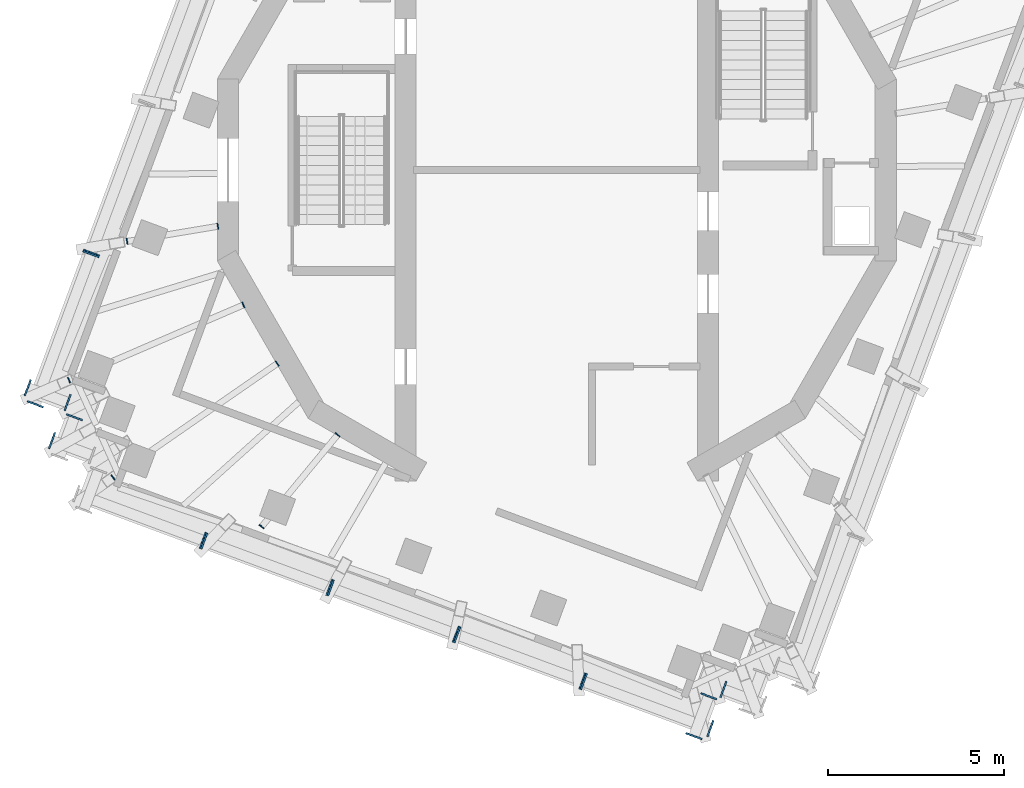
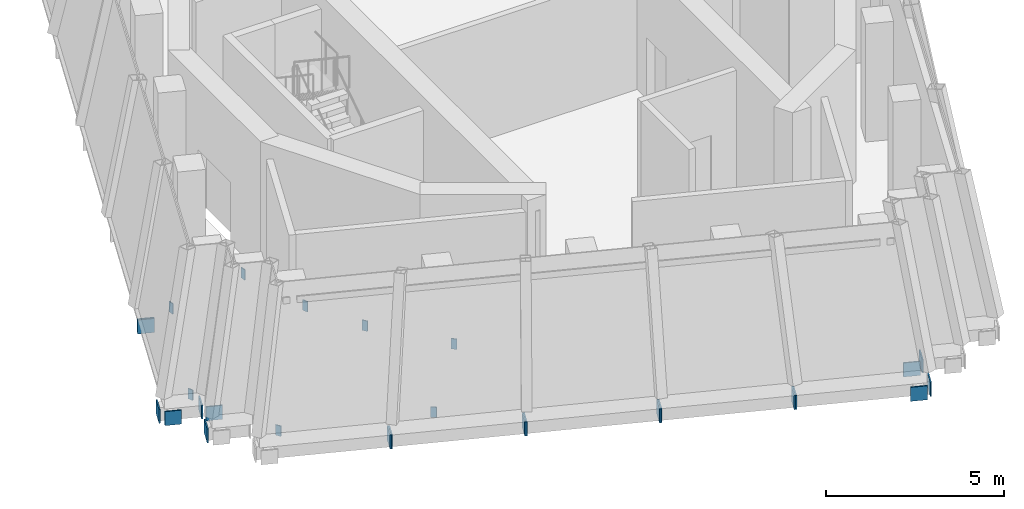
# One storey, part 7 of 11: 27 discrete accessories, 12 elements without a shape of their own.
"""IFC4 building model written with IfcOpenShell, lengths in metres."""

from ifc_helpers import new_model, si_unit, direction, frame, origin, place, context, subcontext, project, spatial, polyline, outline, extrude, material, layer, layer_set, type_object, element, aggregate, save


model = new_model("IFC4")

# Units and contexts
model_context = context("Model", 3, precision=1e-05, world=origin(), true_north=direction((0.0, 1.0)))
body_context = subcontext(model_context, "Body", "Model", "MODEL_VIEW")
ifc_project = project(units=[si_unit("LENGTHUNIT", "METRE"), si_unit("AREAUNIT", "SQUARE_METRE"), si_unit("VOLUMEUNIT", "CUBIC_METRE"), si_unit("PLANEANGLEUNIT", "RADIAN"), si_unit("MASSUNIT", "GRAM", prefix="KILO")], contexts=[model_context])

# Site, building, storey
site_placement = place(None, origin())
site = spatial("IfcSite", under=ifc_project, at=site_placement, CompositionType="ELEMENT")
building_placement = place(site_placement, origin())
building = spatial("IfcBuilding", under=site, at=building_placement, Name="Cantera Rosa Tower", CompositionType="ELEMENT")
storey_placement = place(building_placement, frame((0.0, 0.0, 365.199951171875)))
storey = spatial("IfcBuildingStorey", under=building, at=storey_placement, Name="L82", CompositionType="ELEMENT", Elevation=365.199951171875)

# Curtain wall, discrete accessory
ifc_material_1 = material(Name="Aluminium frame with clear glass", Category="aluminium")
curtain_wall_type = type_object("IfcCurtainWallType", Name="CW4 CROWN GLAZING", PredefinedType="NOTDEFINED", material=ifc_material_1)
curtain_wall_1_placement = place(storey_placement, origin())
curtain_wall_1 = element("IfcCurtainWall", 1, at=curtain_wall_1_placement, inside=storey, type_object=curtain_wall_type, Name="CW4 L82-13", PredefinedType="NOTDEFINED")
ifc_material_2 = material(Name="Steel S355J2 (EN 10025-2)", Category="steel")
ifc_layer = layer(ifc_material_2, 0.030029296875)
ifc_layer_set = layer_set([ifc_layer], Name="NODE PLATE 30")
discrete_accessory_type = type_object("IfcDiscreteAccessoryType", Name="NODE PLATE 30", PredefinedType="ANCHORPLATE", material=ifc_layer_set)
discrete_accessory_1_placement = place(storey_placement, frame((-13.038818359375, -2.4970703125, -0.43505859375), z_axis=(-0.347777987911, -0.937576914778, 0.0), x_axis=(-0.937576914778, 0.347777987911, 0.0)))
discrete_accessory_1 = element("IfcDiscreteAccessory", 2, at=discrete_accessory_1_placement, type_object=discrete_accessory_type, Name="END PLATE TE1", PredefinedType="ANCHORPLATE", context=body_context, shape_type="SweptSolid", body=[
    extrude(outline(polyline([(0.0, 0.0), (0.4801689391068604, 0.0), (0.4801689391068604, 0.47998046875), (0.0, 0.47998046875), (0.0, 0.0)])), origin(), (0.0, 0.0, -1.0), 0.0400390625),
])
aggregate(curtain_wall_1, [discrete_accessory_1])

# Curtain wall, discrete accessories
curtain_wall_2_placement = place(storey_placement, origin())
curtain_wall_2 = element("IfcCurtainWall", 3, at=curtain_wall_2_placement, inside=storey, type_object=curtain_wall_type, Name="CW4 L82-14", PredefinedType="NOTDEFINED")
discrete_accessory_2_placement = place(storey_placement, frame((-13.461181640625, -2.255126953125, -0.43505859375), z_axis=(0.347330918501, 0.937742626232, 0.0), x_axis=(0.937742626232, -0.347330918501, 0.0)))
discrete_accessory_2 = element("IfcDiscreteAccessory", 4, at=discrete_accessory_2_placement, type_object=discrete_accessory_type, Name="END PLATE TE0", PredefinedType="ANCHORPLATE", context=body_context, shape_type="SweptSolid", body=[
    extrude(outline(polyline([(0.0, 0.0), (0.4800840869406107, 0.0), (0.4800840869406107, 0.47998046875), (0.0, 0.47998046875), (0.0, 0.0)])), origin(), (0.0, 0.0, -1.0), 0.0400390625),
])
discrete_accessory_3_placement = place(storey_placement, frame((-14.62158203125, -6.767822265625, -0.43505859375), z_axis=(-0.347496626235, -0.937681233018, 0.0), x_axis=(-0.937681233018, 0.347496626235, 0.0)))
discrete_accessory_3 = element("IfcDiscreteAccessory", 5, at=discrete_accessory_3_placement, type_object=discrete_accessory_type, Name="END PLATE TE1", PredefinedType="ANCHORPLATE", context=body_context, shape_type="SweptSolid", body=[
    extrude(outline(polyline([(0.0, 0.0), (0.4798551533622547, 0.0), (0.4798551533622547, 0.47998046875), (0.0, 0.47998046875), (0.0, 0.0)])), origin(), (0.0, 0.0, -1.0), 0.0400390625),
])
aggregate(curtain_wall_2, [discrete_accessory_2, discrete_accessory_3])

curtain_wall_3_placement = place(storey_placement, origin())
curtain_wall_3 = element("IfcCurtainWall", 6, at=curtain_wall_3_placement, inside=storey, type_object=curtain_wall_type, Name="CW4 L82-15", PredefinedType="NOTDEFINED")
discrete_accessory_4_placement = place(storey_placement, frame((-15.1572265625, -6.415283203125, -0.43505859375), z_axis=(-0.937681233018, 0.347496626235, 0.0), x_axis=(0.347496626235, 0.937681233018, 0.0)))
discrete_accessory_4 = element("IfcDiscreteAccessory", 7, at=discrete_accessory_4_placement, type_object=discrete_accessory_type, Name="END PLATE TE0", PredefinedType="ANCHORPLATE", context=body_context, shape_type="SweptSolid", body=[
    extrude(outline(polyline([(0.0, 0.0), (0.4798551533622547, 0.0), (0.4798551533622547, 0.47998046875), (0.0, 0.47998046875), (0.0, 0.0)])), origin(), (0.0, 0.0, -1.0), 0.0400390625),
])
discrete_accessory_5_placement = place(storey_placement, frame((-13.817626953125, -6.39990234375, -0.43505859375), z_axis=(0.937742626232, -0.347330918501, 0.0), x_axis=(-0.347330918501, -0.937742626232, 0.0)))
discrete_accessory_5 = element("IfcDiscreteAccessory", 8, at=discrete_accessory_5_placement, type_object=discrete_accessory_type, Name="END PLATE TE1", PredefinedType="ANCHORPLATE", context=body_context, shape_type="SweptSolid", body=[
    extrude(outline(polyline([(0.0, 0.0), (0.4800840869406107, 0.0), (0.4800840869406107, 0.47998046875), (0.0, 0.47998046875), (0.0, 0.0)])), origin(), (0.0, 0.0, -1.0), 0.0400390625),
])
aggregate(curtain_wall_3, [discrete_accessory_4, discrete_accessory_5])

# Curtain wall, discrete accessory
curtain_wall_4_placement = place(storey_placement, origin())
curtain_wall_4 = element("IfcCurtainWall", 9, at=curtain_wall_4_placement, inside=storey, type_object=curtain_wall_type, Name="CW4 L82-16", PredefinedType="NOTDEFINED")
discrete_accessory_6_placement = place(storey_placement, frame((-13.9462890625, -6.93408203125, -0.43505859375), z_axis=(0.347330918501, 0.937742626232, 0.0), x_axis=(0.937742626232, -0.347330918501, 0.0)))
discrete_accessory_6 = element("IfcDiscreteAccessory", 10, at=discrete_accessory_6_placement, type_object=discrete_accessory_type, Name="END PLATE TE0", PredefinedType="ANCHORPLATE", context=body_context, shape_type="SweptSolid", body=[
    extrude(outline(polyline([(0.0, 0.0), (0.4800840869406107, 0.0), (0.4800840869406107, 0.47998046875), (0.0, 0.47998046875), (0.0, 0.0)])), origin(), (0.0, 0.0, -1.0), 0.0400390625),
])
aggregate(curtain_wall_4, [discrete_accessory_6])

curtain_wall_5_placement = place(storey_placement, origin())
curtain_wall_5 = element("IfcCurtainWall", 11, at=curtain_wall_5_placement, inside=storey, type_object=curtain_wall_type, Name="CW4 L82-17", PredefinedType="NOTDEFINED")
discrete_accessory_7_placement = place(storey_placement, frame((-14.46533203125, -7.92041015625, -0.43505859375), z_axis=(-0.937681233018, 0.347496626235, 0.0), x_axis=(0.347496626235, 0.937681233018, 0.0)))
discrete_accessory_7 = element("IfcDiscreteAccessory", 12, at=discrete_accessory_7_placement, type_object=discrete_accessory_type, Name="END PLATE TE0", PredefinedType="ANCHORPLATE", context=body_context, shape_type="SweptSolid", body=[
    extrude(outline(polyline([(0.0, 0.0), (0.4798551533622547, 0.0), (0.4798551533622547, 0.47998046875), (0.0, 0.47998046875), (0.0, 0.0)])), origin(), (0.0, 0.0, -1.0), 0.0400390625),
])
aggregate(curtain_wall_5, [discrete_accessory_7])

curtain_wall_6_placement = place(storey_placement, origin())
curtain_wall_6 = element("IfcCurtainWall", 13, at=curtain_wall_6_placement, inside=storey, type_object=curtain_wall_type, Name="CW4 L82-19", PredefinedType="NOTDEFINED")
discrete_accessory_8_placement = place(storey_placement, frame((-9.930908203125, -10.337646484375, -0.43505859375), z_axis=(0.937681233018, -0.347496626235, 0.0), x_axis=(-0.347496626235, -0.937681233018, 0.0)))
discrete_accessory_8 = element("IfcDiscreteAccessory", 14, at=discrete_accessory_8_placement, type_object=discrete_accessory_type, Name="END PLATE TE1", PredefinedType="ANCHORPLATE", context=body_context, shape_type="SweptSolid", body=[
    extrude(outline(polyline([(0.0, 0.0), (0.4798551533622547, 0.0), (0.4798551533622547, 0.47998046875), (0.0, 0.47998046875), (0.0, 0.0)])), origin(), (0.0, 0.0, -1.0), 0.0400390625),
])
aggregate(curtain_wall_6, [discrete_accessory_8])

# Curtain wall, discrete accessories
curtain_wall_7_placement = place(storey_placement, origin())
curtain_wall_7 = element("IfcCurtainWall", 15, at=curtain_wall_7_placement, inside=storey, type_object=curtain_wall_type, Name="CW4 L82-20", PredefinedType="NOTDEFINED")
discrete_accessory_9_placement = place(storey_placement, frame((-10.172607421875, -10.759765625, -0.43505859375), z_axis=(-0.937681233018, 0.347496626235, 0.0), x_axis=(0.347496626235, 0.937681233018, 0.0)))
discrete_accessory_9 = element("IfcDiscreteAccessory", 16, at=discrete_accessory_9_placement, type_object=discrete_accessory_type, Name="END PLATE TE0", PredefinedType="ANCHORPLATE", context=body_context, shape_type="SweptSolid", body=[
    extrude(outline(polyline([(0.0, 0.0), (0.4798551533622547, 0.0), (0.4798551533622547, 0.47998046875), (0.0, 0.47998046875), (0.0, 0.0)])), origin(), (0.0, 0.0, -1.0), 0.0400390625),
])
discrete_accessory_10_placement = place(storey_placement, frame((-6.330322265625, -11.671875, -0.43505859375), z_axis=(0.937742626232, -0.347330918501, 0.0), x_axis=(-0.347330918501, -0.937742626232, 0.0)))
discrete_accessory_10 = element("IfcDiscreteAccessory", 17, at=discrete_accessory_10_placement, type_object=discrete_accessory_type, Name="END PLATE TE1", PredefinedType="ANCHORPLATE", context=body_context, shape_type="SweptSolid", body=[
    extrude(outline(polyline([(0.0, 0.0), (0.4800840869406107, 0.0), (0.4800840869406107, 0.47998046875), (0.0, 0.47998046875), (0.0, 0.0)])), origin(), (0.0, 0.0, -1.0), 0.0400390625),
])
aggregate(curtain_wall_7, [discrete_accessory_9, discrete_accessory_10])

curtain_wall_8_placement = place(storey_placement, origin())
curtain_wall_8 = element("IfcCurtainWall", 18, at=curtain_wall_8_placement, inside=storey, type_object=curtain_wall_type, Name="CW4 L82-21", PredefinedType="NOTDEFINED")
discrete_accessory_11_placement = place(storey_placement, frame((-6.572021484375, -12.09423828125, -0.43505859375), z_axis=(-0.937742626232, 0.347330918501, 0.0), x_axis=(0.347330918501, 0.937742626232, 0.0)))
discrete_accessory_11 = element("IfcDiscreteAccessory", 19, at=discrete_accessory_11_placement, type_object=discrete_accessory_type, Name="END PLATE TE0", PredefinedType="ANCHORPLATE", context=body_context, shape_type="SweptSolid", body=[
    extrude(outline(polyline([(0.0, 0.0), (0.4800840869406107, 0.0), (0.4800840869406107, 0.47998046875), (0.0, 0.47998046875), (0.0, 0.0)])), origin(), (0.0, 0.0, -1.0), 0.0400390625),
])
discrete_accessory_12_placement = place(storey_placement, frame((-2.7294921875, -13.006103515625, -0.43505859375), z_axis=(0.937742626232, -0.347330918501, 0.0), x_axis=(-0.347330918501, -0.937742626232, 0.0)))
discrete_accessory_12 = element("IfcDiscreteAccessory", 20, at=discrete_accessory_12_placement, type_object=discrete_accessory_type, Name="END PLATE TE1", PredefinedType="ANCHORPLATE", context=body_context, shape_type="SweptSolid", body=[
    extrude(outline(polyline([(0.0, 0.0), (0.4800840869406107, 0.0), (0.4800840869406107, 0.47998046875), (0.0, 0.47998046875), (0.0, 0.0)])), origin(), (0.0, 0.0, -1.0), 0.0400390625),
])
aggregate(curtain_wall_8, [discrete_accessory_11, discrete_accessory_12])

curtain_wall_9_placement = place(storey_placement, origin())
curtain_wall_9 = element("IfcCurtainWall", 21, at=curtain_wall_9_placement, inside=storey, type_object=curtain_wall_type, Name="CW4 L82-22", PredefinedType="NOTDEFINED")
discrete_accessory_13_placement = place(storey_placement, frame((-2.97119140625, -13.428466796875, -0.43505859375), z_axis=(-0.937742626232, 0.347330918501, 0.0), x_axis=(0.347330918501, 0.937742626232, 0.0)))
discrete_accessory_13 = element("IfcDiscreteAccessory", 22, at=discrete_accessory_13_placement, type_object=discrete_accessory_type, Name="END PLATE TE0", PredefinedType="ANCHORPLATE", context=body_context, shape_type="SweptSolid", body=[
    extrude(outline(polyline([(0.0, 0.0), (0.4800840869406107, 0.0), (0.4800840869406107, 0.47998046875), (0.0, 0.47998046875), (0.0, 0.0)])), origin(), (0.0, 0.0, -1.0), 0.0400390625),
])
discrete_accessory_14_placement = place(storey_placement, frame((0.871337890625, -14.340576171875, -0.43505859375), z_axis=(0.93751537431, -0.347943850259, 0.0), x_axis=(-0.347943850259, -0.93751537431, 0.0)))
discrete_accessory_14 = element("IfcDiscreteAccessory", 23, at=discrete_accessory_14_placement, type_object=discrete_accessory_type, Name="END PLATE TE1", PredefinedType="ANCHORPLATE", context=body_context, shape_type="SweptSolid", body=[
    extrude(outline(polyline([(0.0, 0.0), (0.47994004600337425, 0.0), (0.47994004600337425, 0.47998046875), (0.0, 0.47998046875), (0.0, 0.0)])), origin(), (0.0, 0.0, -1.0), 0.0400390625),
])
aggregate(curtain_wall_9, [discrete_accessory_13, discrete_accessory_14])

curtain_wall_10_placement = place(storey_placement, origin())
curtain_wall_10 = element("IfcCurtainWall", 24, at=curtain_wall_10_placement, inside=storey, type_object=curtain_wall_type, Name="CW4 L82-23", PredefinedType="NOTDEFINED")
discrete_accessory_15_placement = place(storey_placement, frame((0.62939453125, -14.7626953125, -0.43505859375), z_axis=(-0.937681233018, 0.347496626235, 0.0), x_axis=(0.347496626235, 0.937681233018, 0.0)))
discrete_accessory_15 = element("IfcDiscreteAccessory", 25, at=discrete_accessory_15_placement, type_object=discrete_accessory_type, Name="END PLATE TE0", PredefinedType="ANCHORPLATE", context=body_context, shape_type="SweptSolid", body=[
    extrude(outline(polyline([(0.0, 0.0), (0.4798551533622547, 0.0), (0.4798551533622547, 0.47998046875), (0.0, 0.47998046875), (0.0, 0.0)])), origin(), (0.0, 0.0, -1.0), 0.0400390625),
])
discrete_accessory_16_placement = place(storey_placement, frame((4.471923828125, -15.6748046875, -0.43505859375), z_axis=(0.937742626232, -0.347330918501, 0.0), x_axis=(-0.347330918501, -0.937742626232, 0.0)))
discrete_accessory_16 = element("IfcDiscreteAccessory", 26, at=discrete_accessory_16_placement, type_object=discrete_accessory_type, Name="END PLATE TE1", PredefinedType="ANCHORPLATE", context=body_context, shape_type="SweptSolid", body=[
    extrude(outline(polyline([(0.0, 0.0), (0.4800840869406107, 0.0), (0.4800840869406107, 0.47998046875), (0.0, 0.47998046875), (0.0, 0.0)])), origin(), (0.0, 0.0, -1.0), 0.0400390625),
])
aggregate(curtain_wall_10, [discrete_accessory_15, discrete_accessory_16])

curtain_wall_11_placement = place(storey_placement, origin())
curtain_wall_11 = element("IfcCurtainWall", 27, at=curtain_wall_11_placement, inside=storey, type_object=curtain_wall_type, Name="CW4 L82-24", PredefinedType="NOTDEFINED")
discrete_accessory_17_placement = place(storey_placement, frame((4.11962890625, -16.212890625, -0.43505859375), z_axis=(-0.347496626235, -0.937681233018, 0.0), x_axis=(-0.937681233018, 0.347496626235, 0.0)))
discrete_accessory_17 = element("IfcDiscreteAccessory", 28, at=discrete_accessory_17_placement, type_object=discrete_accessory_type, Name="END PLATE TE0", PredefinedType="ANCHORPLATE", context=body_context, shape_type="SweptSolid", body=[
    extrude(outline(polyline([(0.0, 0.0), (0.4798551533622547, 0.0), (0.4798551533622547, 0.47998046875), (0.0, 0.47998046875), (0.0, 0.0)])), origin(), (0.0, 0.0, -1.0), 0.0400390625),
])
discrete_accessory_18_placement = place(storey_placement, frame((4.104248046875, -14.873046875, -0.43505859375), z_axis=(0.347330918501, 0.937742626232, 0.0), x_axis=(0.937742626232, -0.347330918501, 0.0)))
discrete_accessory_18 = element("IfcDiscreteAccessory", 29, at=discrete_accessory_18_placement, type_object=discrete_accessory_type, Name="END PLATE TE1", PredefinedType="ANCHORPLATE", context=body_context, shape_type="SweptSolid", body=[
    extrude(outline(polyline([(0.0, 0.0), (0.4800840869406107, 0.0), (0.4800840869406107, 0.47998046875), (0.0, 0.47998046875), (0.0, 0.0)])), origin(), (0.0, 0.0, -1.0), 0.0400390625),
])
aggregate(curtain_wall_11, [discrete_accessory_17, discrete_accessory_18])

# Curtain wall, discrete accessory
curtain_wall_12_placement = place(storey_placement, origin())
curtain_wall_12 = element("IfcCurtainWall", 30, at=curtain_wall_12_placement, inside=storey, type_object=curtain_wall_type, Name="CW4 L82-25", PredefinedType="NOTDEFINED")
discrete_accessory_19_placement = place(storey_placement, frame((4.6376953125, -14.99951171875, -0.43505859375), z_axis=(-0.937681233018, 0.347496626235, 0.0), x_axis=(0.347496626235, 0.937681233018, 0.0)))
discrete_accessory_19 = element("IfcDiscreteAccessory", 31, at=discrete_accessory_19_placement, type_object=discrete_accessory_type, Name="END PLATE TE0", PredefinedType="ANCHORPLATE", context=body_context, shape_type="SweptSolid", body=[
    extrude(outline(polyline([(0.0, 0.0), (0.4798551533622547, 0.0), (0.4798551533622547, 0.47998046875), (0.0, 0.47998046875), (0.0, 0.0)])), origin(), (0.0, 0.0, -1.0), 0.0400390625),
])
aggregate(curtain_wall_12, [discrete_accessory_19])

# Discrete accessories
discrete_accessory_20_placement = place(storey_placement, frame((0.0, 0.0, -0.805908203125)))
element("IfcDiscreteAccessory", 32, at=discrete_accessory_20_placement, inside=storey, type_object=discrete_accessory_type, Name="END PLATE CG-Z6-05 L82 A", PredefinedType="ANCHORPLATE", context=body_context, shape_type="SweptSolid", body=[
    extrude(outline(polyline([(-12.199462890625, -2.11474609375), (-12.229248046875, -2.11962890625), (-12.25732421875, -1.950927734375), (-12.2275390625, -1.946044921875), (-12.199462890625, -2.11474609375)])), origin(), (0.0, 0.0, 1.0), 0.35595703125),
])
discrete_accessory_21_placement = place(storey_placement, frame((0.0, 0.0, -0.805908203125)))
element("IfcDiscreteAccessory", 33, at=discrete_accessory_21_placement, inside=storey, type_object=discrete_accessory_type, Name="END PLATE CG-Z6-05 L82 B", PredefinedType="ANCHORPLATE", context=body_context, shape_type="SweptSolid", body=[
    extrude(outline(polyline([(-9.67333984375, -1.521484375), (-9.643798828125, -1.5166015625), (-9.61572265625, -1.685302734375), (-9.645263671875, -1.690185546875), (-9.67333984375, -1.521484375)])), origin(), (0.0, 0.0, 1.0), 0.35595703125),
])
discrete_accessory_22_placement = place(storey_placement, frame((0.0, 0.0, -0.805908203125)))
element("IfcDiscreteAccessory", 34, at=discrete_accessory_22_placement, inside=storey, type_object=discrete_accessory_type, Name="END PLATE CG-Z6-06 L82 A", PredefinedType="ANCHORPLATE", context=body_context, shape_type="SweptSolid", body=[
    extrude(outline(polyline([(-13.832763671875, -6.05078125), (-13.8603515625, -6.0625), (-13.927978515625, -5.905517578125), (-13.900390625, -5.8935546875), (-13.832763671875, -6.05078125)])), origin(), (0.0, 0.0, 1.0), 0.35595703125),
])
discrete_accessory_23_placement = place(storey_placement, frame((0.0, 0.0, -0.805908203125)))
element("IfcDiscreteAccessory", 35, at=discrete_accessory_23_placement, inside=storey, type_object=discrete_accessory_type, Name="END PLATE CG-Z6-06 L82 B", PredefinedType="ANCHORPLATE", context=body_context, shape_type="SweptSolid", body=[
    extrude(outline(polyline([(-8.96630859375, -3.7685546875), (-8.938720703125, -3.756591796875), (-8.87109375, -3.913818359375), (-8.898681640625, -3.925537109375), (-8.96630859375, -3.7685546875)])), origin(), (0.0, 0.0, 1.0), 0.35595703125),
])
discrete_accessory_24_placement = place(storey_placement, frame((0.0, 0.0, -0.805908203125)))
element("IfcDiscreteAccessory", 36, at=discrete_accessory_24_placement, inside=storey, type_object=discrete_accessory_type, Name="END PLATE CG-Z6-07 L82 A", PredefinedType="ANCHORPLATE", context=body_context, shape_type="SweptSolid", body=[
    extrude(outline(polyline([(-12.569091796875, -8.806884765625), (-12.59375, -8.823974609375), (-12.69091796875, -8.683349609375), (-12.666259765625, -8.666259765625), (-12.569091796875, -8.806884765625)])), origin(), (0.0, 0.0, 1.0), 0.35595703125),
])
discrete_accessory_25_placement = place(storey_placement, frame((0.0, 0.0, -0.805908203125)))
element("IfcDiscreteAccessory", 37, at=discrete_accessory_25_placement, inside=storey, type_object=discrete_accessory_type, Name="END PLATE CG-Z6-07 L82 B", PredefinedType="ANCHORPLATE", context=body_context, shape_type="SweptSolid", body=[
    extrude(outline(polyline([(-8.016845703125, -5.447021484375), (-7.9921875, -5.429931640625), (-7.894775390625, -5.570556640625), (-7.91943359375, -5.587646484375), (-8.016845703125, -5.447021484375)])), origin(), (0.0, 0.0, 1.0), 0.35595703125),
])
discrete_accessory_26_placement = place(storey_placement, frame((0.0, 0.0, -0.805908203125)))
element("IfcDiscreteAccessory", 38, at=discrete_accessory_26_placement, inside=storey, type_object=discrete_accessory_type, Name="END PLATE CG-Z6-08 L82 A", PredefinedType="ANCHORPLATE", context=body_context, shape_type="SweptSolid", body=[
    extrude(outline(polyline([(-8.322998046875, -10.1923828125), (-8.342041015625, -10.21533203125), (-8.473876953125, -10.1064453125), (-8.45458984375, -10.083251953125), (-8.322998046875, -10.1923828125)])), origin(), (0.0, 0.0, 1.0), 0.35595703125),
])
discrete_accessory_27_placement = place(storey_placement, frame((0.0, 0.0, -0.805908203125)))
element("IfcDiscreteAccessory", 39, at=discrete_accessory_27_placement, inside=storey, type_object=discrete_accessory_type, Name="END PLATE CG-Z6-08 L82 B", PredefinedType="ANCHORPLATE", context=body_context, shape_type="SweptSolid", body=[
    extrude(outline(polyline([(-6.3115234375, -7.4931640625), (-6.292236328125, -7.469970703125), (-6.16064453125, -7.5791015625), (-6.1796875, -7.602294921875), (-6.3115234375, -7.4931640625)])), origin(), (0.0, 0.0, 1.0), 0.35595703125),
])

save(model, "model.ifc")
